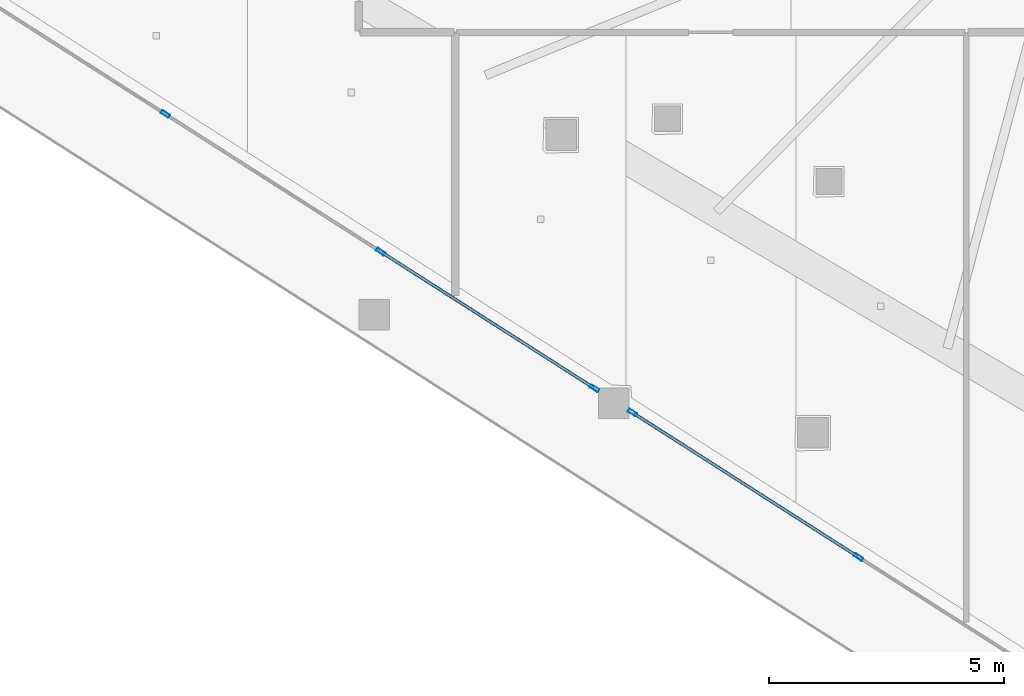
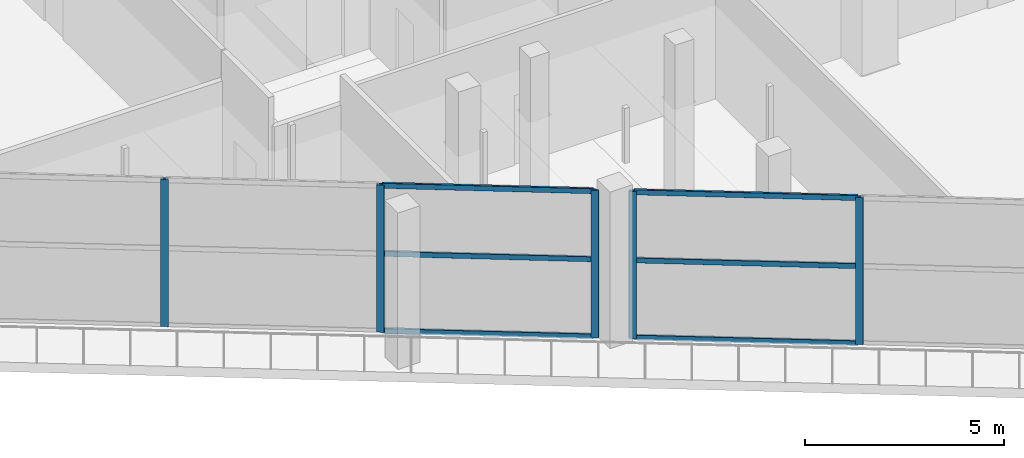
# One storey, part 2 of 42: 11 members, 2 elements without a shape of their own.
"""IFC4 building model written with IfcOpenShell, lengths in metres."""

from ifc_helpers import new_model, si_unit, direction, frame, origin, origin_2d, place, context, subcontext, project, spatial, hollow_rectangle, extrude, material, layer, layer_set, material_profile, profile_set, type_object, element, aggregate, save


model = new_model("IFC4")

# Units and contexts
model_context = context("Model", 3, precision=1e-05, world=origin(), true_north=direction((0.0, 1.0)))
body_context = subcontext(model_context, "Body", "Model", "MODEL_VIEW")
ifc_project = project(units=[si_unit("LENGTHUNIT", "METRE"), si_unit("AREAUNIT", "SQUARE_METRE"), si_unit("VOLUMEUNIT", "CUBIC_METRE"), si_unit("PLANEANGLEUNIT", "RADIAN"), si_unit("MASSUNIT", "GRAM", prefix="KILO")], contexts=[model_context])

# Site, building, storey
site_placement = place(None, origin())
site = spatial("IfcSite", under=ifc_project, at=site_placement, CompositionType="ELEMENT")
building_placement = place(site_placement, origin())
building = spatial("IfcBuilding", under=site, at=building_placement, Name="Qorvath Tower", CompositionType="ELEMENT")
storey_placement = place(building_placement, frame((0.0, 0.0, 105.0)))
storey = spatial("IfcBuildingStorey", under=building, at=storey_placement, Name="L23", CompositionType="ELEMENT", Elevation=105.0)

# Curtain wall, members
ifc_material_1 = material(Name="Anodised aluminium and triple low-E glass", Category="aluminium")
ifc_layer = layer(ifc_material_1, 0.179931640625)
ifc_layer_set = layer_set([ifc_layer], Name="CW-SYS-5")
curtain_wall_type = type_object("IfcCurtainWallType", Name="CW-SYS-5", PredefinedType="NOTDEFINED", material=ifc_layer_set)
curtain_wall_1_placement = place(storey_placement, origin())
curtain_wall_1 = element("IfcCurtainWall", 1, at=curtain_wall_1_placement, inside=storey, type_object=curtain_wall_type, Name="Curtain Wall CW-5 CW-T-L23-2.1", PredefinedType="NOTDEFINED")
ifc_material_2 = material(Name="Anodised aluminium 6063-T6", Category="aluminium")
ifc_material_profile_1 = material_profile(ifc_material_2, hollow_rectangle(XDim=0.074951171875, YDim=0.199951171875, WallThickness=0.00390625, InnerFilletRadius=0.00390625, OuterFilletRadius=0.008056640625, at=origin_2d()), Name="CWM 200x75")
ifc_profile_set_1 = profile_set([ifc_material_profile_1], Name="Anodised aluminium 6063-T6")
member_type_1 = type_object("IfcMemberType", Name="CWM-200", PredefinedType="MULLION", material=ifc_profile_set_1)
member_1_placement = place(storey_placement, frame((-44.76953125, -12.691650390625, 0.0), z_axis=(0.0, 0.0, 1.0), x_axis=(0.538531788579, 0.842605193842, 0.0)))
member_1 = element("IfcMember", 2, at=member_1_placement, type_object=member_type_1, Name="CW-5 mullion 4", PredefinedType="MULLION", context=body_context, shape_type="SweptSolid", body=[
    extrude(hollow_rectangle(XDim=0.074951171875, YDim=0.199951171875, WallThickness=0.00390625, InnerFilletRadius=0.00390625, OuterFilletRadius=0.008056640625, at=origin_2d()), origin(), (0.0, 0.0, 1.0), 4.52001953125),
])
member_2_placement = place(storey_placement, frame((-40.195556640625, -15.614990234375, 0.0), z_axis=(0.0, 0.0, 1.0), x_axis=(0.538531788579, 0.842605193842, 0.0)))
member_2 = element("IfcMember", 3, at=member_2_placement, type_object=member_type_1, Name="CW-5 mullion 5", PredefinedType="MULLION", context=body_context, shape_type="SweptSolid", body=[
    extrude(hollow_rectangle(XDim=0.074951171875, YDim=0.199951171875, WallThickness=0.00390625, InnerFilletRadius=0.00390625, OuterFilletRadius=0.008056640625, at=origin_2d()), origin(), (0.0, 0.0, 1.0), 4.52001953125),
])
member_3_placement = place(storey_placement, frame((-35.653076171875, -18.51806640625, 0.0), z_axis=(0.0, 0.0, 1.0), x_axis=(0.538531788579, 0.842605193842, 0.0)))
member_3 = element("IfcMember", 4, at=member_3_placement, type_object=member_type_1, Name="CW-5 mullion 6", PredefinedType="MULLION", context=body_context, shape_type="SweptSolid", body=[
    extrude(hollow_rectangle(XDim=0.074951171875, YDim=0.199951171875, WallThickness=0.00390625, InnerFilletRadius=0.00390625, OuterFilletRadius=0.008056640625, at=origin_2d()), origin(), (0.0, 0.0, 1.0), 4.52001953125),
])

curtain_wall_2_placement = place(storey_placement, origin())
curtain_wall_2 = element("IfcCurtainWall", 5, at=curtain_wall_2_placement, inside=storey, type_object=curtain_wall_type, Name="Curtain Wall CW-5 CW-T-L23-2.2", PredefinedType="NOTDEFINED")
member_4_placement = place(storey_placement, frame((-34.85009765625, -19.031494140625, 0.0), z_axis=(0.0, 0.0, 1.0), x_axis=(0.53854036508, 0.842599712307, 0.0)))
member_4 = element("IfcMember", 6, at=member_4_placement, type_object=member_type_1, Name="CW-5 mullion 1", PredefinedType="MULLION", context=body_context, shape_type="SweptSolid", body=[
    extrude(hollow_rectangle(XDim=0.074951171875, YDim=0.199951171875, WallThickness=0.00390625, InnerFilletRadius=0.00390625, OuterFilletRadius=0.008056640625, at=origin_2d()), origin(), (0.0, 0.0, 1.0), 4.52001953125),
])
member_5_placement = place(storey_placement, frame((-30.046875, -22.101318359375, 0.0), z_axis=(0.0, 0.0, 1.0), x_axis=(0.53854036508, 0.842599712307, 0.0)))
member_5 = element("IfcMember", 7, at=member_5_placement, type_object=member_type_1, Name="CW-5 mullion 2", PredefinedType="MULLION", context=body_context, shape_type="SweptSolid", body=[
    extrude(hollow_rectangle(XDim=0.074951171875, YDim=0.199951171875, WallThickness=0.00390625, InnerFilletRadius=0.00390625, OuterFilletRadius=0.008056640625, at=origin_2d()), origin(), (0.0, 0.0, 1.0), 4.52001953125),
])

# Member
ifc_material_3 = material(Name="Anodised aluminium 6063-T6", Category="aluminium")
ifc_material_profile_2 = material_profile(ifc_material_3, hollow_rectangle(XDim=0.06494140625, YDim=0.159912109375, WallThickness=0.00341796875, InnerFilletRadius=0.00341796875, OuterFilletRadius=0.007080078125, at=origin_2d()), Name="CWT 160x65")
ifc_profile_set_2 = profile_set([ifc_material_profile_2], Name="Anodised aluminium 6063-T6")
member_type_2 = type_object("IfcMemberType", Name="CWT-160", PredefinedType="USERDEFINED", material=ifc_profile_set_2)
member_6_placement = place(storey_placement, frame((-40.1640625, -15.635009765625, 0.032470703125), z_axis=(0.842606534896, -0.538529690314, 0.0), x_axis=(0.538529690314, 0.842606534896, 0.0)))
member_6 = element("IfcMember", 8, at=member_6_placement, type_object=member_type_2, Name="CW-5 transom 5.1", ObjectType="TRANSOM", PredefinedType="USERDEFINED", context=body_context, shape_type="SweptSolid", body=[
    extrude(hollow_rectangle(XDim=0.06494140625, YDim=0.159912109375, WallThickness=0.00341796875, InnerFilletRadius=0.00341796875, OuterFilletRadius=0.007080078125, at=origin_2d()), origin(), (0.0, 0.0, 1.0), 5.31591796875),
])

member_7_placement = place(storey_placement, frame((-40.1640625, -15.635009765625, 2.39990234375), z_axis=(0.842606534896, -0.538529690314, 0.0), x_axis=(0.538529690314, 0.842606534896, 0.0)))
member_7 = element("IfcMember", 9, at=member_7_placement, type_object=member_type_2, Name="CW-5 transom 5.2", ObjectType="TRANSOM", PredefinedType="USERDEFINED", context=body_context, shape_type="SweptSolid", body=[
    extrude(hollow_rectangle(XDim=0.06494140625, YDim=0.159912109375, WallThickness=0.00341796875, InnerFilletRadius=0.00341796875, OuterFilletRadius=0.007080078125, at=origin_2d()), origin(), (0.0, 0.0, 1.0), 5.31591796875),
])

member_8_placement = place(storey_placement, frame((-40.1640625, -15.635009765625, 4.487548828125), z_axis=(0.842606534896, -0.538529690314, 0.0), x_axis=(0.538529690314, 0.842606534896, 0.0)))
member_8 = element("IfcMember", 10, at=member_8_placement, type_object=member_type_2, Name="CW-5 transom 5.3", ObjectType="TRANSOM", PredefinedType="USERDEFINED", context=body_context, shape_type="SweptSolid", body=[
    extrude(hollow_rectangle(XDim=0.06494140625, YDim=0.159912109375, WallThickness=0.00341796875, InnerFilletRadius=0.00341796875, OuterFilletRadius=0.007080078125, at=origin_2d()), origin(), (0.0, 0.0, 1.0), 5.31591796875),
])

aggregate(curtain_wall_1, [member_1, member_2, member_3, member_6, member_7, member_8])

member_9_placement = place(storey_placement, frame((-34.818359375, -19.051513671875, 0.032470703125), z_axis=(0.842585753988, -0.538562203628, 0.0), x_axis=(0.538562203628, 0.842585753988, 0.0)))
member_9 = element("IfcMember", 11, at=member_9_placement, type_object=member_type_2, Name="CW-5 transom 1.1", ObjectType="TRANSOM", PredefinedType="USERDEFINED", context=body_context, shape_type="SweptSolid", body=[
    extrude(hollow_rectangle(XDim=0.06494140625, YDim=0.159912109375, WallThickness=0.00341796875, InnerFilletRadius=0.00341796875, OuterFilletRadius=0.007080078125, at=origin_2d()), origin(), (0.0, 0.0, 1.0), 5.625244140625),
])

member_10_placement = place(storey_placement, frame((-34.818359375, -19.051513671875, 2.39990234375), z_axis=(0.842585753988, -0.538562203628, 0.0), x_axis=(0.538562203628, 0.842585753988, 0.0)))
member_10 = element("IfcMember", 12, at=member_10_placement, type_object=member_type_2, Name="CW-5 transom 1.2", ObjectType="TRANSOM", PredefinedType="USERDEFINED", context=body_context, shape_type="SweptSolid", body=[
    extrude(hollow_rectangle(XDim=0.06494140625, YDim=0.159912109375, WallThickness=0.00341796875, InnerFilletRadius=0.00341796875, OuterFilletRadius=0.007080078125, at=origin_2d()), origin(), (0.0, 0.0, 1.0), 5.625244140625),
])

member_11_placement = place(storey_placement, frame((-34.818359375, -19.051513671875, 4.487548828125), z_axis=(0.842585753988, -0.538562203628, 0.0), x_axis=(0.538562203628, 0.842585753988, 0.0)))
member_11 = element("IfcMember", 13, at=member_11_placement, type_object=member_type_2, Name="CW-5 transom 1.3", ObjectType="TRANSOM", PredefinedType="USERDEFINED", context=body_context, shape_type="SweptSolid", body=[
    extrude(hollow_rectangle(XDim=0.06494140625, YDim=0.159912109375, WallThickness=0.00341796875, InnerFilletRadius=0.00341796875, OuterFilletRadius=0.007080078125, at=origin_2d()), origin(), (0.0, 0.0, 1.0), 5.625244140625),
])

aggregate(curtain_wall_2, [member_4, member_5, member_9, member_10, member_11])

save(model, "model.ifc")
